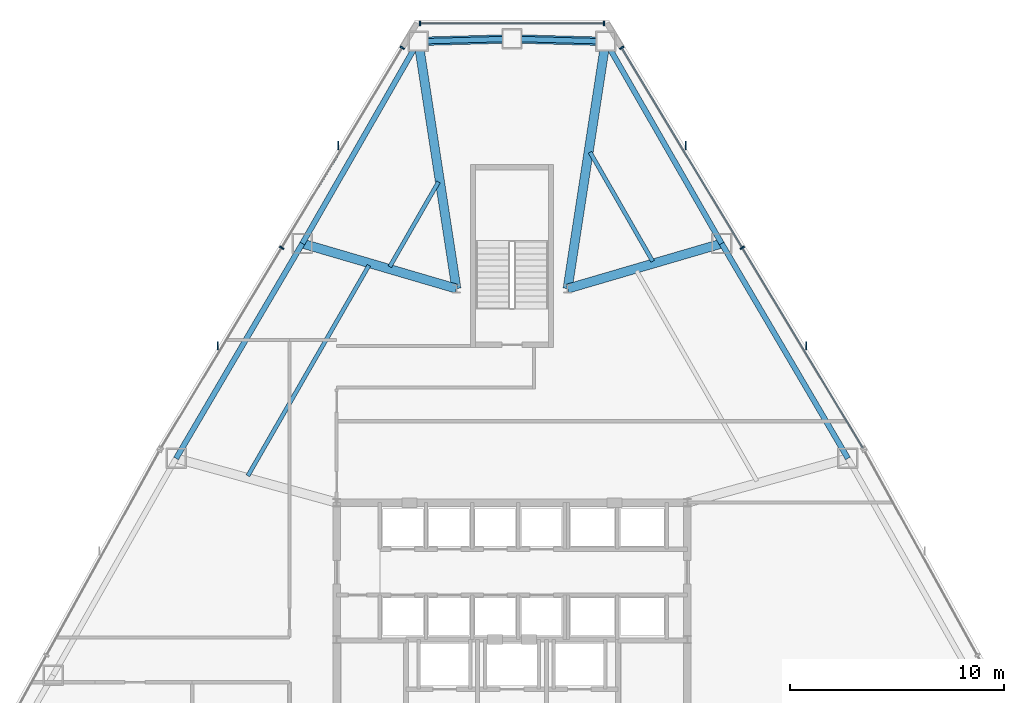
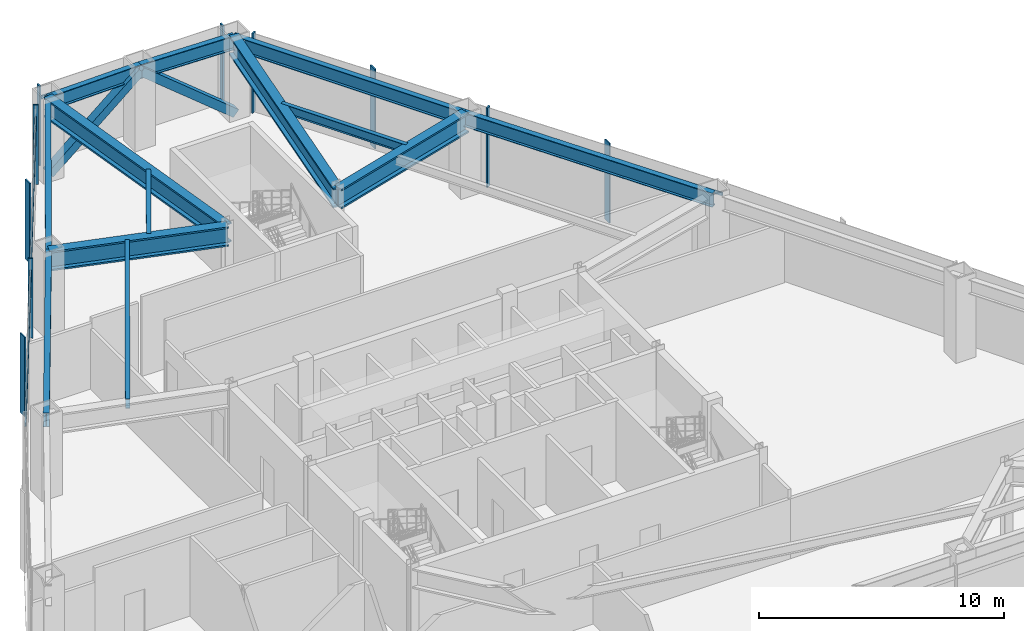
# One storey, part 8 of 13: 15 members, 13 beams, 3 elements without a shape of their own.
"""IFC4 building model written with IfcOpenShell, lengths in metres."""

from ifc_helpers import new_model, si_unit, direction, frame, origin, origin_2d, place, context, subcontext, project, spatial, rectangle, hollow_rectangle, i_section, extrude, source, transform, mapped, material, layer, layer_set, material_profile, profile_set, type_object, type_shapes, element, aggregate, save


model = new_model("IFC4")

# Units and contexts
model_context = context("Model", 3, precision=1e-05, world=origin(), true_north=direction((0.0, 1.0)))
body_context = subcontext(model_context, "Body", "Model", "MODEL_VIEW")
ifc_project = project(units=[si_unit("LENGTHUNIT", "METRE"), si_unit("AREAUNIT", "SQUARE_METRE"), si_unit("VOLUMEUNIT", "CUBIC_METRE"), si_unit("PLANEANGLEUNIT", "RADIAN"), si_unit("MASSUNIT", "GRAM", prefix="KILO")], contexts=[model_context])

# Site, building, storey
site_placement = place(None, origin())
site = spatial("IfcSite", under=ifc_project, at=site_placement, CompositionType="ELEMENT")
building_placement = place(site_placement, origin())
building = spatial("IfcBuilding", under=site, at=building_placement, Name="Varakhsha Concourse Tower", CompositionType="ELEMENT")
storey_placement = place(building_placement, frame((0.0, 0.0, 111.800048828125)))
storey = spatial("IfcBuildingStorey", under=building, at=storey_placement, Name="L32", CompositionType="ELEMENT", Elevation=111.800048828125)

# Beams
ifc_material_1 = material(Name="Structural Steel ASTM A992 Grade 50", Category="steel")
ifc_material_profile_1 = material_profile(ifc_material_1, i_section(OverallWidth=0.19091796875, OverallDepth=0.45703125, WebThickness=0.009033203125, FlangeThickness=0.013916015625, at=origin_2d()), Name="W18X50")
ifc_profile_set_1 = profile_set([ifc_material_profile_1], Name="Structural Steel ASTM A992 Grade 50")
beam_type_1 = type_object("IfcBeamType", Name="BM-JST-W18X50", PredefinedType="JOIST", material=ifc_profile_set_1)
beam_1_placement = place(storey_placement, frame((36.564208984375, 46.189208984375, 3.7314453125), z_axis=(-0.497937413946, -0.867212967957, 0.0), x_axis=(0.867212967957, -0.497937413946, 0.0)))
element("IfcBeam", 1, at=beam_1_placement, inside=storey, type_object=beam_type_1, Name="BM-TJST-L32-03", PredefinedType="JOIST", context=body_context, shape_type="SweptSolid", body=[
    extrude(i_section(OverallWidth=0.19091796875, OverallDepth=0.45703125, WebThickness=0.009033203125, FlangeThickness=0.013916015625, at=origin_2d()), origin(), (0.0, 0.0, 1.0), 4.572998046875),
])
beam_2_placement = place(storey_placement, frame((33.313720703125, 42.285888671875, 3.7314453125), z_axis=(-0.498769041034, -0.866734932783, 0.0), x_axis=(0.866734932783, -0.498769041034, 0.0)))
element("IfcBeam", 2, at=beam_2_placement, inside=storey, type_object=beam_type_1, Name="BM-TJST-L32-04", PredefinedType="JOIST", context=body_context, shape_type="SweptSolid", body=[
    extrude(i_section(OverallWidth=0.19091796875, OverallDepth=0.45703125, WebThickness=0.009033203125, FlangeThickness=0.013916015625, at=origin_2d()), origin(), (0.0, 0.0, 1.0), 11.34619140625),
])
beam_3_placement = place(storey_placement, frame((46.57666015625, 42.4765625, 3.7314453125), z_axis=(-0.497908577556, 0.867229524634, 0.0), x_axis=(-0.867229524634, -0.497908577556, 0.0)))
element("IfcBeam", 3, at=beam_3_placement, inside=storey, type_object=beam_type_1, Name="BM-TJST-L32-18", PredefinedType="JOIST", context=body_context, shape_type="SweptSolid", body=[
    extrude(i_section(OverallWidth=0.19091796875, OverallDepth=0.45703125, WebThickness=0.009033203125, FlangeThickness=0.013916015625, at=origin_2d()), origin(), (0.0, 0.0, 1.0), 5.880126953125),
])
ifc_material_profile_2 = material_profile(ifc_material_1, i_section(OverallWidth=0.25390625, OverallDepth=0.701904296875, WebThickness=0.014892578125, FlangeThickness=0.028076171875, at=origin_2d()), Name="W27X129")
ifc_profile_set_2 = profile_set([ifc_material_profile_2], Name="Structural Steel ASTM A992 Grade 50")
beam_type_2 = type_object("IfcBeamType", Name="BM-SPAN-W27X129", PredefinedType="SPANDREL", material=ifc_profile_set_2)
for number, where, z_axis, x_axis, name in (
    (4, (44.375244140625, 52.756103515625, 3.60888671875), (-0.99962335664, 0.02744348482, 0.0), (-0.02744348482, -0.99962335664, 0.0), "BM-SPAN-L32-01"),
    (5, (40.0, 52.876220703125, 3.60888671875), (-0.99962335664, -0.02744348482, 0.0), (0.02744348482, -0.99962335664, 0.0), "BM-SPAN-L32-02"),
):
    element("IfcBeam", number, at=place(storey_placement, frame(where, z_axis=z_axis, x_axis=x_axis)), inside=storey, type_object=beam_type_2, Name=name, PredefinedType="SPANDREL", context=body_context, shape_type="SweptSolid", body=[
        extrude(i_section(OverallWidth=0.25390625, OverallDepth=0.701904296875, WebThickness=0.014892578125, FlangeThickness=0.028076171875, at=origin_2d()), origin(), (0.0, 0.0, 1.0), 4.376953125),
    ])
beam_4_placement = place(storey_placement, frame((35.624755859375, 52.756103515625, 3.60888671875), z_axis=(-0.497904665225, -0.867231770836, 0.0), x_axis=(0.867231770836, -0.497904665225, 0.0)))
element("IfcBeam", 6, at=beam_4_placement, inside=storey, type_object=beam_type_2, Name="BM-SPAN-L32-03", PredefinedType="SPANDREL", context=body_context, shape_type="SweptSolid", body=[
    extrude(i_section(OverallWidth=0.25390625, OverallDepth=0.701904296875, WebThickness=0.014892578125, FlangeThickness=0.028076171875, at=origin_2d()), origin(), (0.0, 0.0, 1.0), 10.893310546875),
])
for number, where, z_axis, x_axis, name in (
    (7, (30.200927734375, 43.30908203125, 3.60888671875), (-0.506565796383, -0.862201307082, 0.0), (0.862201307082, -0.506565796383, 0.0), "BM-SPAN-L32-04"),
    (8, (55.700439453125, 33.2646484375, 3.60888671875), (-0.506565796383, 0.862201307082, 0.0), (-0.862201307082, -0.506565796383, 0.0), "BM-SPAN-L32-17"),
):
    element("IfcBeam", number, at=place(storey_placement, frame(where, z_axis=z_axis, x_axis=x_axis)), inside=storey, type_object=beam_type_2, Name=name, PredefinedType="SPANDREL", context=body_context, shape_type="SweptSolid", body=[
        extrude(i_section(OverallWidth=0.25390625, OverallDepth=0.701904296875, WebThickness=0.014892578125, FlangeThickness=0.028076171875, at=origin_2d()), origin(), (0.0, 0.0, 1.0), 11.649658203125),
    ])
beam_5_placement = place(storey_placement, frame((49.799072265625, 43.30908203125, 3.60888671875), z_axis=(-0.497904665225, 0.867231770836, 0.0), x_axis=(-0.867231770836, -0.497904665225, 0.0)))
element("IfcBeam", 9, at=beam_5_placement, inside=storey, type_object=beam_type_2, Name="BM-SPAN-L32-18", PredefinedType="SPANDREL", context=body_context, shape_type="SweptSolid", body=[
    extrude(i_section(OverallWidth=0.25390625, OverallDepth=0.701904296875, WebThickness=0.014892578125, FlangeThickness=0.028076171875, at=origin_2d()), origin(), (0.0, 0.0, 1.0), 10.893310546875),
])
ifc_material_profile_3 = material_profile(ifc_material_1, i_section(OverallWidth=0.427978515625, OverallDepth=0.97509765625, WebThickness=0.050048828125, FlangeThickness=0.0810546875, at=origin_2d()), Name="W36X395")
ifc_profile_set_3 = profile_set([ifc_material_profile_3], Name="Structural Steel ASTM A992 Grade 50")
beam_type_3 = type_object("IfcBeamType", Name="BM-XFER-W36X395", PredefinedType="USERDEFINED", material=ifc_profile_set_3)
for number, where, z_axis, x_axis, name in (
    (10, (42.60009765625, 41.199951171875, 3.472412109375), (0.151829655963, 0.988406675195, 0.0), (-0.988406675195, 0.151829655963, 0.0), "L32 Radial Floor Girder 01"),
    (11, (37.39990234375, 41.199951171875, 3.472412109375), (-0.151829655963, 0.988406675195, 0.0), (-0.988406675195, -0.151829655963, 0.0), "L32 Radial Floor Girder 03"),
):
    element("IfcBeam", number, at=place(storey_placement, frame(where, z_axis=z_axis, x_axis=x_axis)), inside=storey, type_object=beam_type_3, Name=name, ObjectType="GIRDER", PredefinedType="USERDEFINED", context=body_context, shape_type="SweptSolid", body=[
        extrude(i_section(OverallWidth=0.427978515625, OverallDepth=0.97509765625, WebThickness=0.050048828125, FlangeThickness=0.0810546875, at=origin_2d()), origin(), (0.0, 0.0, 1.0), 11.691650390625),
    ])
for number, where, z_axis, x_axis, name in (
    (12, (37.39990234375, 41.199951171875, 3.472412109375), (-0.959661403302, 0.281158302409, 0.0), (-0.281158302409, -0.959661403302, 0.0), "L32 Radial Floor Girder 04"),
    (13, (42.60009765625, 41.199951171875, 3.472412109375), (0.959661403302, 0.281158302409, 0.0), (-0.281158302409, 0.959661403302, 0.0), "L32 Radial Floor Girder 18"),
):
    element("IfcBeam", number, at=place(storey_placement, frame(where, z_axis=z_axis, x_axis=x_axis)), inside=storey, type_object=beam_type_3, Name=name, ObjectType="GIRDER", PredefinedType="USERDEFINED", context=body_context, shape_type="SweptSolid", body=[
        extrude(i_section(OverallWidth=0.427978515625, OverallDepth=0.97509765625, WebThickness=0.050048828125, FlangeThickness=0.0810546875, at=origin_2d()), origin(), (0.0, 0.0, 1.0), 7.50146484375),
    ])

# Members
ifc_material_2 = material(Name="Structural Steel ASTM A500 Grade C", Category="steel")
ifc_material_profile_4 = material_profile(ifc_material_2, hollow_rectangle(XDim=0.39990234375, YDim=0.39990234375, WallThickness=0.01611328125, at=origin_2d()), Name="HSS 400x400x16")
ifc_profile_set_4 = profile_set([ifc_material_profile_4], Name="Structural Steel ASTM A500 Grade C")
member_type_1 = type_object("IfcMemberType", Name="MB-TUBE-HSS400", PredefinedType="BRACE", material=ifc_profile_set_4)
shared_shape_1 = source(origin(), body_context, "Body", "SweptSolid", [
    extrude(hollow_rectangle(XDim=0.39990234375, YDim=0.39990234375, WallThickness=0.01611328125, at=origin_2d()), origin(), (0.0, 0.0, 1.0), 5.62939453125),
])
type_shapes(member_type_1, [shared_shape_1])
for number, where, z_axis, x_axis, name in (
    (14, (44.375244140625, 52.756103515625, 0.119873046875), (-0.777226451124, 0.021337839069, 0.628859078249), (-0.02744348482, -0.99962335664, 0.0), "L32 Wind-Corner Tube Brace B01"),
    (15, (35.624755859375, 52.756103515625, 0.119873046875), (0.777226451124, 0.021337839069, 0.628859078249), (-0.02744348482, 0.99962335664, 0.0), "L32 Wind-Corner Tube Brace B02"),
):
    element("IfcMember", number, at=place(storey_placement, frame(where, z_axis=z_axis, x_axis=x_axis)), inside=storey, type_object=member_type_1, Name=name, PredefinedType="BRACE", context=body_context, shape_type="MappedRepresentation", body=[
        mapped(shared_shape_1, transform((0.0, 0.0, 0.0), scale=1.0)),
    ])

# Curtain wall, members
ifc_material_3 = material(Name="Anodised Bronze Architectural Aluminium AA 6063-T6", Category="aluminium")
ifc_layer = layer(ifc_material_3, 0.2099609375, Name="CW-SYS-04")
ifc_layer_set = layer_set([ifc_layer], Name="Anodised Bronze Architectural Aluminium AA 6063-T6")
curtain_wall_type = type_object("IfcCurtainWallType", Name="CW-SYS-04", PredefinedType="NOTDEFINED", material=ifc_layer_set)
curtain_wall_1_placement = place(storey_placement, origin())
curtain_wall_1 = element("IfcCurtainWall", 16, at=curtain_wall_1_placement, inside=storey, type_object=curtain_wall_type, Name="L32 Chamfer Curtain Wall F1", PredefinedType="NOTDEFINED")
ifc_material_profile_5 = material_profile(ifc_material_3, rectangle(XDim=0.074951171875, YDim=0.219970703125, at=origin_2d()), Name="CWM-220X75")
ifc_profile_set_5 = profile_set([ifc_material_profile_5], Name="Anodised Bronze Architectural Aluminium AA 6063-T6")
member_type_2 = type_object("IfcMemberType", Name="CWM-220X75", PredefinedType="MULLION", material=ifc_profile_set_5)
shared_shape_2 = source(origin(), body_context, "Body", "SweptSolid", [
    extrude(rectangle(XDim=0.074951171875, YDim=0.219970703125, at=origin_2d()), origin(), (0.0, 0.0, 1.0), 3.9599609375),
])
type_shapes(member_type_2, [shared_shape_2])
member_1_placement = place(storey_placement, frame((35.69140625, 53.59619140625, 0.0), z_axis=(0.0, 0.0, 1.0), x_axis=(1.0, 0.0, 0.0)))
member_1 = element("IfcMember", 17, at=member_1_placement, type_object=member_type_2, Name="CW-L32-F1 Mullion 00", PredefinedType="MULLION", context=body_context, shape_type="MappedRepresentation", body=[
    mapped(shared_shape_2, transform((0.0, 0.0, 0.0), scale=1.0)),
])
member_2_placement = place(storey_placement, frame((44.30859375, 53.59619140625, 0.0), z_axis=(0.0, 0.0, 1.0), x_axis=(1.0, 0.0, 0.0)))
member_2 = element("IfcMember", 18, at=member_2_placement, type_object=member_type_2, Name="CW-L32-F1 Mullion 01", PredefinedType="MULLION", context=body_context, shape_type="MappedRepresentation", body=[
    mapped(shared_shape_2, transform((0.0, 0.0, 0.0), scale=1.0)),
])

curtain_wall_2_placement = place(storey_placement, origin())
curtain_wall_2 = element("IfcCurtainWall", 19, at=curtain_wall_2_placement, inside=storey, type_object=curtain_wall_type, Name="L32 Crystal Curtain Wall F2", PredefinedType="NOTDEFINED")
member_3_placement = place(storey_placement, frame((29.23828125, 43.107177734375, 0.0), z_axis=(0.0, 0.0, 1.0), x_axis=(0.516289709685, 0.856413997827, 0.0)))
member_3 = element("IfcMember", 20, at=member_3_placement, type_object=member_type_2, Name="CW-L32-F2 Mullion 01", PredefinedType="MULLION", context=body_context, shape_type="MappedRepresentation", body=[
    mapped(shared_shape_2, transform((0.0, 0.0, 0.0), scale=1.0)),
])
member_4_placement = place(storey_placement, frame((34.875244140625, 52.45751953125, 0.0), z_axis=(0.0, 0.0, 1.0), x_axis=(0.516289709685, 0.856413997827, 0.0)))
member_4 = element("IfcMember", 21, at=member_4_placement, type_object=member_type_2, Name="CW-L32-F2 Mullion 02", PredefinedType="MULLION", context=body_context, shape_type="MappedRepresentation", body=[
    mapped(shared_shape_2, transform((0.0, 0.0, 0.0), scale=1.0)),
])

curtain_wall_3_placement = place(storey_placement, origin())
curtain_wall_3 = element("IfcCurtainWall", 22, at=curtain_wall_3_placement, inside=storey, type_object=curtain_wall_type, Name="L32 Crystal Curtain Wall F9", PredefinedType="NOTDEFINED")
member_5_placement = place(storey_placement, frame((45.124755859375, 52.45751953125, 0.0), z_axis=(0.0, 0.0, 1.0), x_axis=(0.516289709685, -0.856413997827, 0.0)))
member_5 = element("IfcMember", 23, at=member_5_placement, type_object=member_type_2, Name="CW-L32-F9 Mullion 00", PredefinedType="MULLION", context=body_context, shape_type="MappedRepresentation", body=[
    mapped(shared_shape_2, transform((0.0, 0.0, 0.0), scale=1.0)),
])
member_6_placement = place(storey_placement, frame((50.76171875, 43.107177734375, 0.0), z_axis=(0.0, 0.0, 1.0), x_axis=(0.516289709685, -0.856413997827, 0.0)))
member_6 = element("IfcMember", 24, at=member_6_placement, type_object=member_type_2, Name="CW-L32-F9 Mullion 01", PredefinedType="MULLION", context=body_context, shape_type="MappedRepresentation", body=[
    mapped(shared_shape_2, transform((0.0, 0.0, 0.0), scale=1.0)),
])

# Member
ifc_material_profile_6 = material_profile(ifc_material_3, rectangle(XDim=0.06494140625, YDim=0.159912109375, at=origin_2d()), Name="CWT-160X65")
ifc_profile_set_6 = profile_set([ifc_material_profile_6], Name="Anodised Bronze Architectural Aluminium AA 6063-T6")
member_type_3 = type_object("IfcMemberType", Name="CWT-160X65", PredefinedType="USERDEFINED", material=ifc_profile_set_6)
shared_shape_3 = source(origin(), body_context, "Body", "SweptSolid", [
    extrude(rectangle(XDim=0.06494140625, YDim=0.159912109375, at=origin_2d()), origin(), (0.0, 0.0, 1.0), 8.6171875),
])
member_7_placement = place(storey_placement, frame((35.69140625, 53.59619140625, 3.31005859375), z_axis=(1.0, 0.0, 0.0), x_axis=(0.0, 1.0, 0.0)))
member_7 = element("IfcMember", 25, at=member_7_placement, type_object=member_type_3, Name="CW-L32-F1 Transom 01", ObjectType="TRANSOM", PredefinedType="USERDEFINED", context=body_context, shape_type="MappedRepresentation", body=[
    mapped(shared_shape_3, transform((0.0, 0.0, 0.0), scale=1.0)),
])

aggregate(curtain_wall_1, [member_1, member_2, member_7])

shared_shape_4 = source(origin(), body_context, "Body", "SweptSolid", [
    extrude(rectangle(XDim=0.06494140625, YDim=0.159912109375, at=origin_2d()), origin(), (0.0, 0.0, 1.0), 21.83642578125),
])
type_shapes(member_type_3, [shared_shape_3, shared_shape_4])
member_8_placement = place(storey_placement, frame((23.601318359375, 33.756591796875, 3.31005859375), z_axis=(0.516291721601, 0.856412784939, 0.0), x_axis=(-0.856412784939, 0.516291721601, 0.0)))
member_8 = element("IfcMember", 26, at=member_8_placement, type_object=member_type_3, Name="CW-L32-F2 Transom 01", ObjectType="TRANSOM", PredefinedType="USERDEFINED", context=body_context, shape_type="MappedRepresentation", body=[
    mapped(shared_shape_4, transform((0.0, 0.0, 0.0), scale=1.0)),
])

member_9_placement = place(storey_placement, frame((45.124755859375, 52.45751953125, 3.31005859375), z_axis=(0.516291721601, -0.856412784939, 0.0), x_axis=(0.856412784939, 0.516291721601, 0.0)))
member_9 = element("IfcMember", 27, at=member_9_placement, type_object=member_type_3, Name="CW-L32-F9 Transom 01", ObjectType="TRANSOM", PredefinedType="USERDEFINED", context=body_context, shape_type="MappedRepresentation", body=[
    mapped(shared_shape_4, transform((0.0, 0.0, 0.0), scale=1.0)),
])

ifc_material_profile_7 = material_profile(ifc_material_3, rectangle(XDim=0.06005859375, YDim=0.3798828125, at=origin_2d()), Name="FIN-BRZ-380")
ifc_profile_set_7 = profile_set([ifc_material_profile_7], Name="Anodised Bronze Architectural Aluminium AA 6063-T6")
member_type_4 = type_object("IfcMemberType", Name="FIN-BRZ-380", PredefinedType="USERDEFINED", material=ifc_profile_set_7)
shared_shape_5 = source(origin(), body_context, "Body", "SweptSolid", [
    extrude(rectangle(XDim=0.06005859375, YDim=0.3798828125, at=origin_2d()), origin(), (0.0, 0.0, 1.0), 3.9599609375),
])
type_shapes(member_type_4, [shared_shape_5])
member_10_placement = place(storey_placement, frame((26.244384765625, 38.53759765625, 0.0), z_axis=(0.0, 0.0, 1.0), x_axis=(1.0, 0.0, 0.0)))
member_10 = element("IfcMember", 28, at=member_10_placement, type_object=member_type_4, Name="L32 Anodised Bronze Solar Fin F2-1", ObjectType="SOLAR FIN", PredefinedType="USERDEFINED", context=body_context, shape_type="MappedRepresentation", body=[
    mapped(shared_shape_5, transform((0.0, 0.0, 0.0), scale=1.0)),
])

member_11_placement = place(storey_placement, frame((31.88134765625, 47.88818359375, 0.0), z_axis=(0.0, 0.0, 1.0), x_axis=(1.0, 0.0, 0.0)))
member_11 = element("IfcMember", 29, at=member_11_placement, type_object=member_type_4, Name="L32 Anodised Bronze Solar Fin F2-2", ObjectType="SOLAR FIN", PredefinedType="USERDEFINED", context=body_context, shape_type="MappedRepresentation", body=[
    mapped(shared_shape_5, transform((0.0, 0.0, 0.0), scale=1.0)),
])

aggregate(curtain_wall_2, [member_3, member_4, member_8, member_10, member_11])

member_12_placement = place(storey_placement, frame((48.11865234375, 47.88818359375, 0.0), z_axis=(0.0, 0.0, 1.0), x_axis=(1.0, 0.0, 0.0)))
member_12 = element("IfcMember", 30, at=member_12_placement, type_object=member_type_4, Name="L32 Anodised Bronze Solar Fin F9-1", ObjectType="SOLAR FIN", PredefinedType="USERDEFINED", context=body_context, shape_type="MappedRepresentation", body=[
    mapped(shared_shape_5, transform((0.0, 0.0, 0.0), scale=1.0)),
])

member_13_placement = place(storey_placement, frame((53.755615234375, 38.53759765625, 0.0), z_axis=(0.0, 0.0, 1.0), x_axis=(1.0, 0.0, 0.0)))
member_13 = element("IfcMember", 31, at=member_13_placement, type_object=member_type_4, Name="L32 Anodised Bronze Solar Fin F9-2", ObjectType="SOLAR FIN", PredefinedType="USERDEFINED", context=body_context, shape_type="MappedRepresentation", body=[
    mapped(shared_shape_5, transform((0.0, 0.0, 0.0), scale=1.0)),
])

aggregate(curtain_wall_3, [member_5, member_6, member_9, member_12, member_13])

save(model, "model.ifc")
